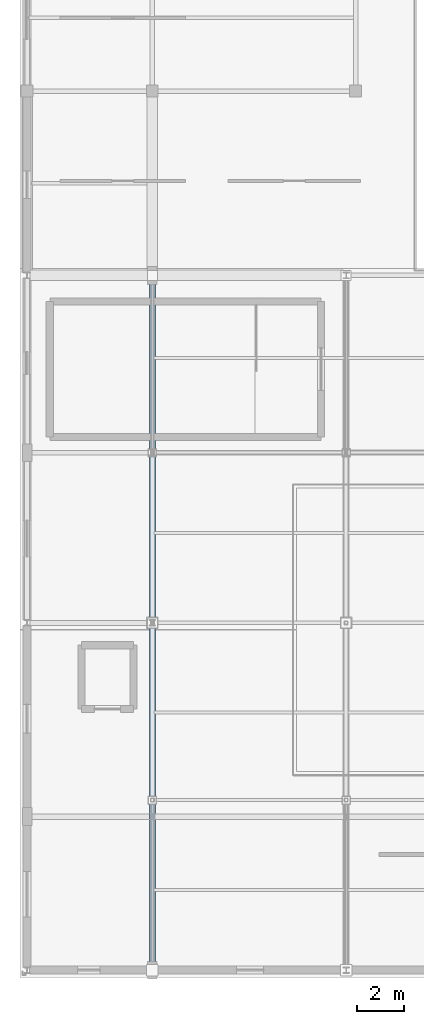
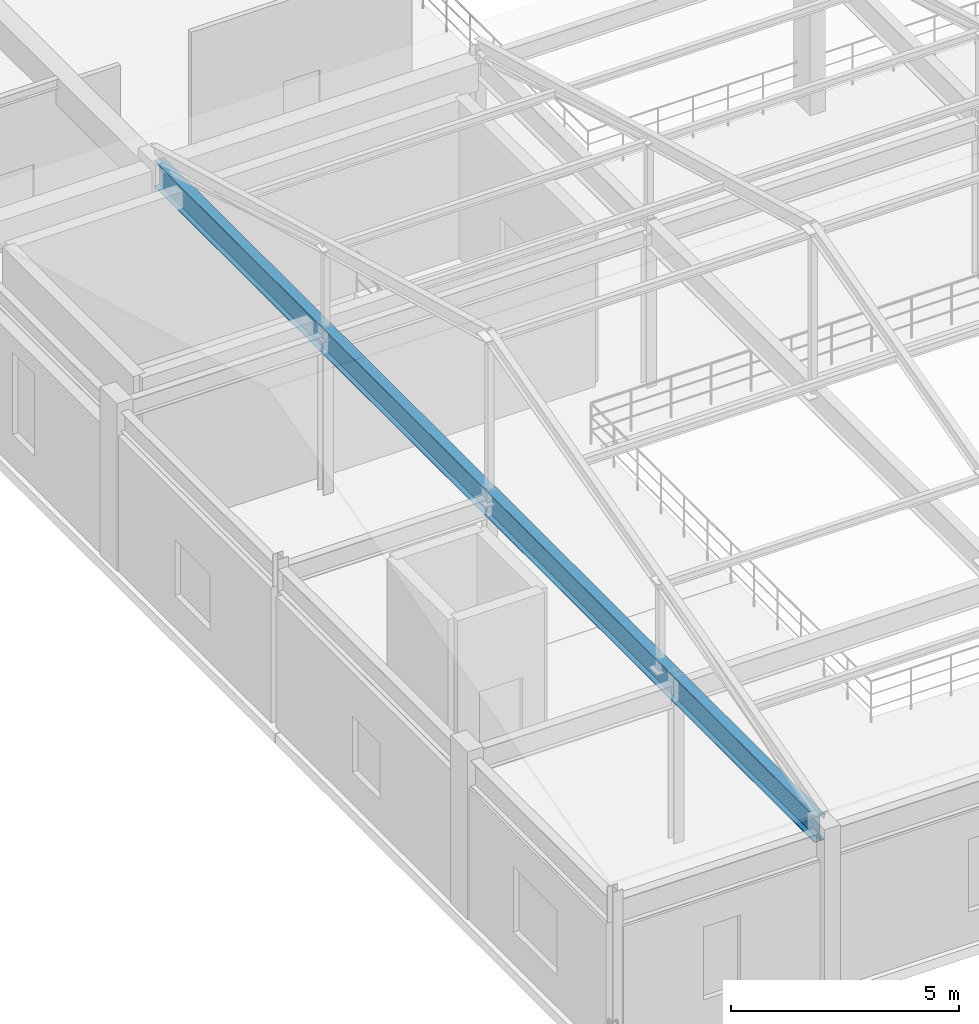
# One storey, part 24 of 112: 1 beam.
"""IFC4 building model written with IfcOpenShell, lengths in metres."""

from ifc_helpers import new_model, si_unit, direction, frame, origin, origin_2d, place, context, subcontext, project, spatial, i_section, extrude, material, material_profile, profile_set, type_object, element, save


model = new_model("IFC4")

# Units and contexts
model_context = context("Model", 3, precision=1e-05, world=origin(), true_north=direction((0.0, 1.0)))
body_context = subcontext(model_context, "Body", "Model", "MODEL_VIEW")
ifc_project = project(units=[si_unit("LENGTHUNIT", "METRE"), si_unit("AREAUNIT", "SQUARE_METRE"), si_unit("VOLUMEUNIT", "CUBIC_METRE"), si_unit("PLANEANGLEUNIT", "RADIAN"), si_unit("MASSUNIT", "GRAM", prefix="KILO")], contexts=[model_context])

# Site, building, storey
site_placement = place(None, origin())
site = spatial("IfcSite", under=ifc_project, at=site_placement, CompositionType="ELEMENT")
building_placement = place(site_placement, origin())
building = spatial("IfcBuilding", under=site, at=building_placement, Name="Cinderbank Siding Concert Hall", CompositionType="ELEMENT")
storey_placement = place(building_placement, frame((0.0, 0.0, 10.199951171875)))
storey = spatial("IfcBuildingStorey", under=building, at=storey_placement, Name="L03", CompositionType="ELEMENT", Elevation=10.199951171875)

# Beam
ifc_material = material(Name="Structural steel welded plate section AS/NZS 3679.2 / AS/NZS 3678 Grade 350 (340 MPa)", Category="steel")
ifc_material_profile = material_profile(ifc_material, i_section(OverallWidth=0.25, OverallDepth=0.699951171875, WebThickness=0.011962890625, FlangeThickness=0.02001953125, at=origin_2d()), Name="700WB150", Category="LoadBearing")
ifc_profile_set = profile_set([ifc_material_profile], Name="Structural steel welded plate section AS/NZS 3679.2 / AS/NZS 3678 Grade 350 (340 MPa)")
beam_type = type_object("IfcBeamType", Name="BM-WB700H 700WB150", PredefinedType="BEAM", material=ifc_profile_set)
beam_placement = place(storey_placement, frame((12.39990234375, 6.2919921875, 4.130126953125), z_axis=(0.0, 1.0, 0.0), x_axis=(-1.0, 0.0, 0.0)))
element("IfcBeam", 1, at=beam_placement, inside=storey, type_object=beam_type, Name="L03 Beam BM-WB700H #17", PredefinedType="BEAM", context=body_context, shape_type="SweptSolid", body=[
    extrude(i_section(OverallWidth=0.25, OverallDepth=0.699951171875, WebThickness=0.011962890625, FlangeThickness=0.02001953125, at=origin_2d()), origin(), (0.0, 0.0, 1.0), 29.01611328125),
])

save(model, "model.ifc")
